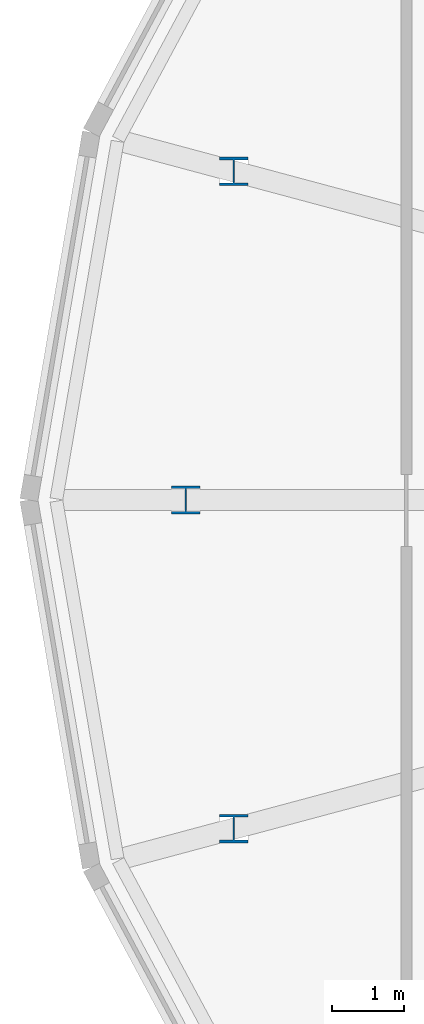
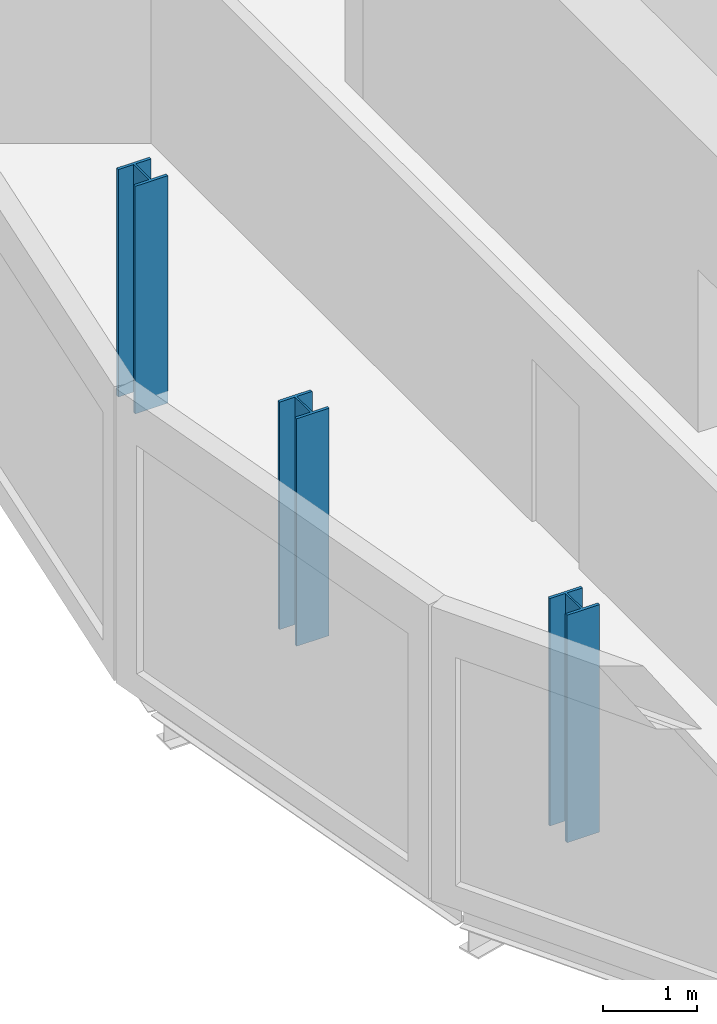
# One storey, part 1 of 38: 3 columns.
"""IFC4 building model written with IfcOpenShell, lengths in metres."""

from ifc_helpers import new_model, si_unit, direction, frame, origin, origin_2d, place, context, subcontext, project, spatial, i_section, extrude, material, material_profile, profile_set, type_object, element, save


model = new_model("IFC4")

# Units and contexts
model_context = context("Model", 3, precision=1e-05, world=origin(), true_north=direction((0.0, 1.0)))
body_context = subcontext(model_context, "Body", "Model", "MODEL_VIEW")
ifc_project = project(units=[si_unit("LENGTHUNIT", "METRE"), si_unit("AREAUNIT", "SQUARE_METRE"), si_unit("VOLUMEUNIT", "CUBIC_METRE"), si_unit("PLANEANGLEUNIT", "RADIAN"), si_unit("MASSUNIT", "GRAM", prefix="KILO")], contexts=[model_context])

# Site, building, storey
site_placement = place(None, origin())
site = spatial("IfcSite", under=ifc_project, at=site_placement, CompositionType="ELEMENT")
building_placement = place(site_placement, origin())
building = spatial("IfcBuilding", under=site, at=building_placement, Name="Rimbun Link Towers", CompositionType="ELEMENT")
storey_placement = place(building_placement, frame((0.0, 0.0, 123.39990234375)))
storey = spatial("IfcBuildingStorey", under=building, at=storey_placement, Name="L30", CompositionType="ELEMENT", Elevation=123.39990234375)

# Columns
ifc_material = material(Name="Steel S355J2", Category="steel")
ifc_material_profile = material_profile(ifc_material, i_section(OverallWidth=0.39892578125, OverallDepth=0.3935546875, WebThickness=0.022705078125, FlangeThickness=0.03662109375, at=origin_2d()), Name="UC 356x406x287")
ifc_profile_set = profile_set([ifc_material_profile], Name="Steel S355J2")
column_type = type_object("IfcColumnType", Name="UC 356x406x287", PredefinedType="COLUMN", material=ifc_profile_set)
for number, where, z_axis, x_axis, name in (
    (1, (-48.80126953125, 4.56884765625, -0.159912109375), (0.0, 0.0, 1.0), (1.0, 0.0, 0.0), "Crease post T1 L30 11"),
    (2, (-49.467529296875, 0.0, -0.159912109375), (0.0, 0.0, 1.0), (1.0, 0.0, 0.0), "Crease post T1 L30 12"),
    (3, (-48.80126953125, -4.56884765625, -0.159912109375), (0.0, 0.0, 1.0), (1.0, 0.0, 0.0), "Crease post T1 L30 13"),
):
    element("IfcColumn", number, at=place(storey_placement, frame(where, z_axis=z_axis, x_axis=x_axis)), inside=storey, type_object=column_type, Name=name, PredefinedType="COLUMN", context=body_context, shape_type="SweptSolid", body=[
        extrude(i_section(OverallWidth=0.39892578125, OverallDepth=0.3935546875, WebThickness=0.022705078125, FlangeThickness=0.03662109375, at=origin_2d()), origin(), (0.0, 0.0, 1.0), 2.939208984375),
    ])

save(model, "model.ifc")
